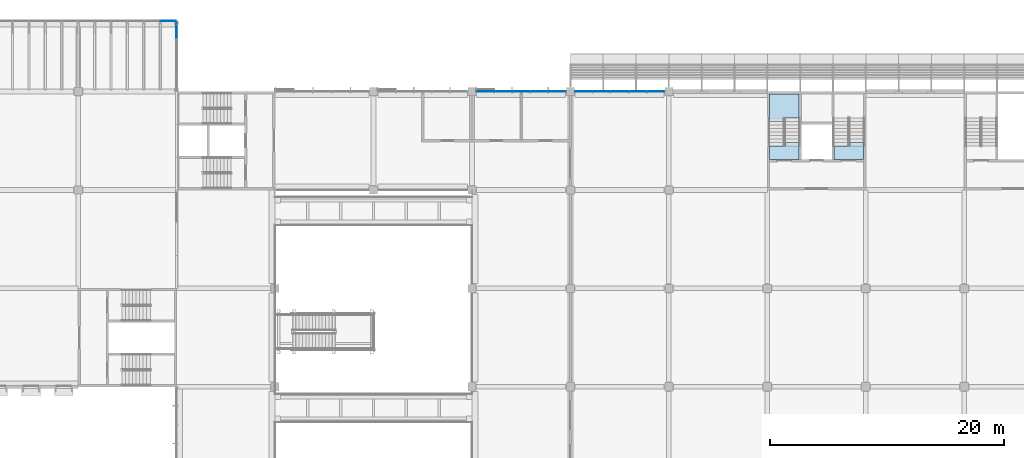
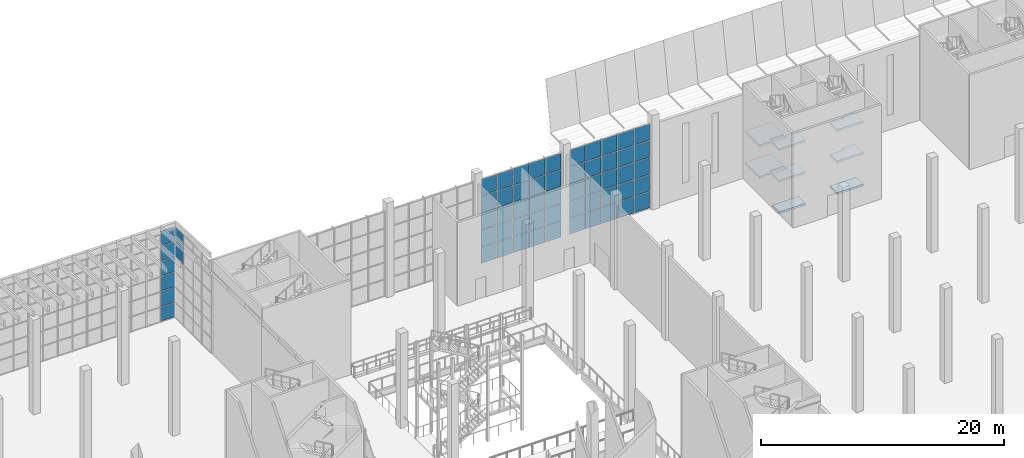
# One storey, part 38 of 114: 58 plates, 8 slabs, 6 elements without a shape of their own.
"""IFC4 building model written with IfcOpenShell, lengths in metres."""

from ifc_helpers import new_model, si_unit, direction, frame, origin, origin_2d, place, context, subcontext, project, spatial, polyline, rectangle, outline, extrude, material, layer, layer_set, type_object, element, aggregate, save


model = new_model("IFC4")

# Units and contexts
model_context = context("Model", 3, precision=1e-05, world=origin(), true_north=direction((0.0, 1.0)))
body_context = subcontext(model_context, "Body", "Model", "MODEL_VIEW")
ifc_project = project(units=[si_unit("LENGTHUNIT", "METRE"), si_unit("AREAUNIT", "SQUARE_METRE"), si_unit("VOLUMEUNIT", "CUBIC_METRE"), si_unit("PLANEANGLEUNIT", "RADIAN"), si_unit("MASSUNIT", "GRAM", prefix="KILO")], contexts=[model_context])

# Site, building, storey
site_placement = place(None, origin())
site = spatial("IfcSite", under=ifc_project, at=site_placement, CompositionType="ELEMENT")
building_placement = place(site_placement, origin())
building = spatial("IfcBuilding", under=site, at=building_placement, Name="Almond Square Museum", CompositionType="ELEMENT")
storey_placement = place(building_placement, frame((0.0, 0.0, 10.5)))
storey = spatial("IfcBuildingStorey", under=building, at=storey_placement, Name="L02", CompositionType="ELEMENT", Elevation=10.5)

# Stair, slabs
ifc_material_1 = material(Name="Concrete C40/50", Category="concrete")
stair_type = type_object("IfcStairType", Name="Exit stair 54 risers of 176 mm", PredefinedType="HALF_TURN_STAIR", material=ifc_material_1)
stair_1_placement = place(storey_placement, origin())
stair_1 = element("IfcStair", 1, at=stair_1_placement, inside=storey, type_object=stair_type, Name="L02 stair H4-1", PredefinedType="HALF_TURN_STAIR")
ifc_material_2 = material(Name="Concrete C40/50", Category="concrete")
ifc_layer_1 = layer(ifc_material_2, 0.199951171875)
ifc_layer_set_1 = layer_set([ifc_layer_1], Name="Concrete C40/50")
slab_type = type_object("IfcSlabType", Name="Concrete stair landing 200", PredefinedType="LANDING", material=ifc_layer_set_1)
slab_1_placement = place(storey_placement, frame((0.0, 0.0, 1.38330078125)))
slab_1 = element("IfcSlab", 2, at=slab_1_placement, type_object=slab_type, Name="ST-07 landing 1", PredefinedType="LANDING", context=body_context, shape_type="SweptSolid", body=[
    extrude(outline(polyline([(126.300048828125, 106.947021484375), (126.300048828125, 109.0), (123.800048828125, 109.0), (123.800048828125, 106.64990234375), (124.949951171875, 106.64990234375), (124.949951171875, 106.947021484375), (126.300048828125, 106.947021484375)])), origin(), (0.0, 0.0, 1.0), 0.199951171875),
])
slab_2_placement = place(storey_placement, frame((0.0, 0.0, 2.966552734375)))
slab_2 = element("IfcSlab", 3, at=slab_2_placement, type_object=slab_type, Name="ST-07 landing 2", PredefinedType="LANDING", context=body_context, shape_type="SweptSolid", body=[
    extrude(outline(polyline([(126.300048828125, 103.39990234375), (126.300048828125, 104.550048828125), (126.300048828125, 104.85009765625), (125.14990234375, 104.85009765625), (125.14990234375, 104.552978515625), (123.800048828125, 104.552978515625), (123.800048828125, 103.39990234375), (126.300048828125, 103.39990234375)])), origin(), (0.0, 0.0, 1.0), 0.2001953125),
])
slab_3_placement = place(storey_placement, frame((0.0, 0.0, 4.550048828125)))
slab_3 = element("IfcSlab", 4, at=slab_3_placement, type_object=slab_type, Name="ST-07 landing 3", PredefinedType="LANDING", context=body_context, shape_type="SweptSolid", body=[
    extrude(outline(polyline([(126.300048828125, 106.947021484375), (126.300048828125, 109.0), (123.800048828125, 109.0), (123.800048828125, 106.64990234375), (124.949951171875, 106.64990234375), (124.949951171875, 106.947021484375), (126.300048828125, 106.947021484375)])), origin(), (0.0, 0.0, 1.0), 0.199951171875),
])
slab_4_placement = place(storey_placement, frame((0.0, 0.0, 6.13330078125)))
slab_4 = element("IfcSlab", 5, at=slab_4_placement, type_object=slab_type, Name="ST-07 landing 4", PredefinedType="LANDING", context=body_context, shape_type="SweptSolid", body=[
    extrude(outline(polyline([(126.300048828125, 103.39990234375), (126.300048828125, 104.550048828125), (126.300048828125, 104.85009765625), (125.14990234375, 104.85009765625), (125.14990234375, 104.552978515625), (123.800048828125, 104.552978515625), (123.800048828125, 103.39990234375), (126.300048828125, 103.39990234375)])), origin(), (0.0, 0.0, 1.0), 0.199951171875),
])
aggregate(stair_1, [slab_1, slab_2, slab_3, slab_4])

stair_2_placement = place(storey_placement, origin())
stair_2 = element("IfcStair", 6, at=stair_2_placement, inside=storey, type_object=stair_type, Name="L02 stair H4-2", PredefinedType="HALF_TURN_STAIR")
slab_5_placement = place(storey_placement, frame((0.0, 0.0, 2.966552734375)))
slab_5 = element("IfcSlab", 7, at=slab_5_placement, type_object=slab_type, Name="ST-08 landing 2", PredefinedType="LANDING", context=body_context, shape_type="SweptSolid", body=[
    extrude(outline(polyline([(131.800048828125, 103.39990234375), (131.800048828125, 104.550048828125), (131.800048828125, 104.85009765625), (130.64990234375, 104.85009765625), (130.64990234375, 104.552978515625), (129.300048828125, 104.552978515625), (129.300048828125, 103.39990234375), (131.800048828125, 103.39990234375)])), origin(), (0.0, 0.0, 1.0), 0.2001953125),
])
slab_6_placement = place(storey_placement, frame((0.0, 0.0, 6.13330078125)))
slab_6 = element("IfcSlab", 8, at=slab_6_placement, type_object=slab_type, Name="ST-08 landing 4", PredefinedType="LANDING", context=body_context, shape_type="SweptSolid", body=[
    extrude(outline(polyline([(131.800048828125, 103.39990234375), (131.800048828125, 104.550048828125), (131.800048828125, 104.85009765625), (130.64990234375, 104.85009765625), (130.64990234375, 104.552978515625), (129.300048828125, 104.552978515625), (129.300048828125, 103.39990234375), (131.800048828125, 103.39990234375)])), origin(), (0.0, 0.0, 1.0), 0.199951171875),
])
aggregate(stair_2, [slab_5, slab_6])

# Slabs
slab_7_placement = place(storey_placement, frame((0.0, 0.0, -0.199951171875)))
element("IfcSlab", 9, at=slab_7_placement, inside=storey, type_object=slab_type, Name="L02 stair H4-1 floor landing", PredefinedType="LANDING", context=body_context, shape_type="SweptSolid", body=[
    extrude(outline(polyline([(123.800048828125, 103.39990234375), (126.300048828125, 103.39990234375), (126.300048828125, 104.552978515625), (123.800048828125, 104.552978515625), (123.800048828125, 103.39990234375)])), origin(), (0.0, 0.0, 1.0), 0.199951171875),
])
slab_8_placement = place(storey_placement, frame((0.0, 0.0, -0.199951171875)))
element("IfcSlab", 10, at=slab_8_placement, inside=storey, type_object=slab_type, Name="L02 stair H4-2 floor landing", PredefinedType="LANDING", context=body_context, shape_type="SweptSolid", body=[
    extrude(outline(polyline([(129.300048828125, 103.39990234375), (131.800048828125, 103.39990234375), (131.800048828125, 104.552978515625), (129.300048828125, 104.552978515625), (129.300048828125, 103.39990234375)])), origin(), (0.0, 0.0, 1.0), 0.199951171875),
])

# Curtain wall, plates
ifc_material_3 = material(Name="Aluminium and laminated glass", Category="aluminium")
curtain_wall_type = type_object("IfcCurtainWallType", Name="Unitised curtain wall 1500 module", PredefinedType="NOTDEFINED", material=ifc_material_3)
curtain_wall_1_placement = place(storey_placement, origin())
curtain_wall_1 = element("IfcCurtainWall", 11, at=curtain_wall_1_placement, inside=storey, type_object=curtain_wall_type, Name="Curtain wall CW-16", PredefinedType="NOTDEFINED")
ifc_material_4 = material(Name="Laminated hurricane-rated glass", Category="glass")
ifc_layer_2 = layer(ifc_material_4, 0.035888671875)
ifc_layer_set_2 = layer_set([ifc_layer_2], Name="Laminated hurricane-rated glass")
plate_type = type_object("IfcPlateType", Name="Laminated glass panel 36", PredefinedType="CURTAIN_PANEL", material=ifc_layer_set_2)
plate_1_placement = place(storey_placement, frame((107.93505859375, 109.199951171875, 0.06005859375), z_axis=(0.0, 0.0, 1.0), x_axis=(1.0, 0.0, 0.0)))
plate_1 = element("IfcPlate", 12, at=plate_1_placement, type_object=plate_type, Name="CW-16 panel 1.1", PredefinedType="CURTAIN_PANEL", context=body_context, shape_type="SweptSolid", body=[
    extrude(rectangle(XDim=1.449951171875, YDim=0.035888671875, at=origin_2d()), origin(), (0.0, 0.0, 1.0), 1.6201171875),
])
plate_2_placement = place(storey_placement, frame((107.93505859375, 109.199951171875, 1.739990234375), z_axis=(0.0, 0.0, 1.0), x_axis=(1.0, 0.0, 0.0)))
plate_2 = element("IfcPlate", 13, at=plate_2_placement, type_object=plate_type, Name="CW-16 panel 1.2", PredefinedType="CURTAIN_PANEL", context=body_context, shape_type="SweptSolid", body=[
    extrude(rectangle(XDim=1.449951171875, YDim=0.035888671875, at=origin_2d()), origin(), (0.0, 0.0, 1.0), 1.64990234375),
])
plate_3_placement = place(storey_placement, frame((107.93505859375, 109.199951171875, 3.449951171875), z_axis=(0.0, 0.0, 1.0), x_axis=(1.0, 0.0, 0.0)))
plate_3 = element("IfcPlate", 14, at=plate_3_placement, type_object=plate_type, Name="CW-16 panel 1.3", PredefinedType="CURTAIN_PANEL", context=body_context, shape_type="SweptSolid", body=[
    extrude(rectangle(XDim=1.449951171875, YDim=0.035888671875, at=origin_2d()), origin(), (0.0, 0.0, 1.0), 1.64990234375),
])
plate_4_placement = place(storey_placement, frame((107.93505859375, 109.199951171875, 5.16015625), z_axis=(0.0, 0.0, 1.0), x_axis=(1.0, 0.0, 0.0)))
plate_4 = element("IfcPlate", 15, at=plate_4_placement, type_object=plate_type, Name="CW-16 panel 1.4", PredefinedType="CURTAIN_PANEL", context=body_context, shape_type="SweptSolid", body=[
    extrude(rectangle(XDim=1.449951171875, YDim=0.035888671875, at=origin_2d()), origin(), (0.0, 0.0, 1.0), 1.64990234375),
])
plate_5_placement = place(storey_placement, frame((107.93505859375, 109.199951171875, 6.869873046875), z_axis=(0.0, 0.0, 1.0), x_axis=(1.0, 0.0, 0.0)))
plate_5 = element("IfcPlate", 16, at=plate_5_placement, type_object=plate_type, Name="CW-16 panel 1.5", PredefinedType="CURTAIN_PANEL", context=body_context, shape_type="SweptSolid", body=[
    extrude(rectangle(XDim=1.449951171875, YDim=0.035888671875, at=origin_2d()), origin(), (0.0, 0.0, 1.0), 1.6201171875),
])
plate_6_placement = place(storey_placement, frame((109.4599609375, 109.199951171875, 0.06005859375), z_axis=(0.0, 0.0, 1.0), x_axis=(1.0, 0.0, 0.0)))
plate_6 = element("IfcPlate", 17, at=plate_6_placement, type_object=plate_type, Name="CW-16 panel 2.1", PredefinedType="CURTAIN_PANEL", context=body_context, shape_type="SweptSolid", body=[
    extrude(rectangle(XDim=1.47998046875, YDim=0.035888671875, at=origin_2d()), origin(), (0.0, 0.0, 1.0), 1.6201171875),
])
plate_7_placement = place(storey_placement, frame((109.4599609375, 109.199951171875, 1.739990234375), z_axis=(0.0, 0.0, 1.0), x_axis=(1.0, 0.0, 0.0)))
plate_7 = element("IfcPlate", 18, at=plate_7_placement, type_object=plate_type, Name="CW-16 panel 2.2", PredefinedType="CURTAIN_PANEL", context=body_context, shape_type="SweptSolid", body=[
    extrude(rectangle(XDim=1.47998046875, YDim=0.035888671875, at=origin_2d()), origin(), (0.0, 0.0, 1.0), 1.64990234375),
])
plate_8_placement = place(storey_placement, frame((109.4599609375, 109.199951171875, 3.449951171875), z_axis=(0.0, 0.0, 1.0), x_axis=(1.0, 0.0, 0.0)))
plate_8 = element("IfcPlate", 19, at=plate_8_placement, type_object=plate_type, Name="CW-16 panel 2.3", PredefinedType="CURTAIN_PANEL", context=body_context, shape_type="SweptSolid", body=[
    extrude(rectangle(XDim=1.47998046875, YDim=0.035888671875, at=origin_2d()), origin(), (0.0, 0.0, 1.0), 1.64990234375),
])
plate_9_placement = place(storey_placement, frame((109.4599609375, 109.199951171875, 5.16015625), z_axis=(0.0, 0.0, 1.0), x_axis=(1.0, 0.0, 0.0)))
plate_9 = element("IfcPlate", 20, at=plate_9_placement, type_object=plate_type, Name="CW-16 panel 2.4", PredefinedType="CURTAIN_PANEL", context=body_context, shape_type="SweptSolid", body=[
    extrude(rectangle(XDim=1.47998046875, YDim=0.035888671875, at=origin_2d()), origin(), (0.0, 0.0, 1.0), 1.64990234375),
])
plate_10_placement = place(storey_placement, frame((109.4599609375, 109.199951171875, 6.869873046875), z_axis=(0.0, 0.0, 1.0), x_axis=(1.0, 0.0, 0.0)))
plate_10 = element("IfcPlate", 21, at=plate_10_placement, type_object=plate_type, Name="CW-16 panel 2.5", PredefinedType="CURTAIN_PANEL", context=body_context, shape_type="SweptSolid", body=[
    extrude(rectangle(XDim=1.47998046875, YDim=0.035888671875, at=origin_2d()), origin(), (0.0, 0.0, 1.0), 1.6201171875),
])
plate_11_placement = place(storey_placement, frame((111.0, 109.199951171875, 0.06005859375), z_axis=(0.0, 0.0, 1.0), x_axis=(1.0, 0.0, 0.0)))
plate_11 = element("IfcPlate", 22, at=plate_11_placement, type_object=plate_type, Name="CW-16 panel 3.1", PredefinedType="CURTAIN_PANEL", context=body_context, shape_type="SweptSolid", body=[
    extrude(rectangle(XDim=1.47998046875, YDim=0.035888671875, at=origin_2d()), origin(), (0.0, 0.0, 1.0), 1.6201171875),
])
plate_12_placement = place(storey_placement, frame((111.0, 109.199951171875, 1.739990234375), z_axis=(0.0, 0.0, 1.0), x_axis=(1.0, 0.0, 0.0)))
plate_12 = element("IfcPlate", 23, at=plate_12_placement, type_object=plate_type, Name="CW-16 panel 3.2", PredefinedType="CURTAIN_PANEL", context=body_context, shape_type="SweptSolid", body=[
    extrude(rectangle(XDim=1.47998046875, YDim=0.035888671875, at=origin_2d()), origin(), (0.0, 0.0, 1.0), 1.64990234375),
])
plate_13_placement = place(storey_placement, frame((111.0, 109.199951171875, 3.449951171875), z_axis=(0.0, 0.0, 1.0), x_axis=(1.0, 0.0, 0.0)))
plate_13 = element("IfcPlate", 24, at=plate_13_placement, type_object=plate_type, Name="CW-16 panel 3.3", PredefinedType="CURTAIN_PANEL", context=body_context, shape_type="SweptSolid", body=[
    extrude(rectangle(XDim=1.47998046875, YDim=0.035888671875, at=origin_2d()), origin(), (0.0, 0.0, 1.0), 1.64990234375),
])
plate_14_placement = place(storey_placement, frame((111.0, 109.199951171875, 5.16015625), z_axis=(0.0, 0.0, 1.0), x_axis=(1.0, 0.0, 0.0)))
plate_14 = element("IfcPlate", 25, at=plate_14_placement, type_object=plate_type, Name="CW-16 panel 3.4", PredefinedType="CURTAIN_PANEL", context=body_context, shape_type="SweptSolid", body=[
    extrude(rectangle(XDim=1.47998046875, YDim=0.035888671875, at=origin_2d()), origin(), (0.0, 0.0, 1.0), 1.64990234375),
])
plate_15_placement = place(storey_placement, frame((111.0, 109.199951171875, 6.869873046875), z_axis=(0.0, 0.0, 1.0), x_axis=(1.0, 0.0, 0.0)))
plate_15 = element("IfcPlate", 26, at=plate_15_placement, type_object=plate_type, Name="CW-16 panel 3.5", PredefinedType="CURTAIN_PANEL", context=body_context, shape_type="SweptSolid", body=[
    extrude(rectangle(XDim=1.47998046875, YDim=0.035888671875, at=origin_2d()), origin(), (0.0, 0.0, 1.0), 1.6201171875),
])
plate_16_placement = place(storey_placement, frame((112.5400390625, 109.199951171875, 0.06005859375), z_axis=(0.0, 0.0, 1.0), x_axis=(1.0, 0.0, 0.0)))
plate_16 = element("IfcPlate", 27, at=plate_16_placement, type_object=plate_type, Name="CW-16 panel 4.1", PredefinedType="CURTAIN_PANEL", context=body_context, shape_type="SweptSolid", body=[
    extrude(rectangle(XDim=1.47998046875, YDim=0.035888671875, at=origin_2d()), origin(), (0.0, 0.0, 1.0), 1.6201171875),
])
plate_17_placement = place(storey_placement, frame((112.5400390625, 109.199951171875, 1.739990234375), z_axis=(0.0, 0.0, 1.0), x_axis=(1.0, 0.0, 0.0)))
plate_17 = element("IfcPlate", 28, at=plate_17_placement, type_object=plate_type, Name="CW-16 panel 4.2", PredefinedType="CURTAIN_PANEL", context=body_context, shape_type="SweptSolid", body=[
    extrude(rectangle(XDim=1.47998046875, YDim=0.035888671875, at=origin_2d()), origin(), (0.0, 0.0, 1.0), 1.64990234375),
])
plate_18_placement = place(storey_placement, frame((112.5400390625, 109.199951171875, 3.449951171875), z_axis=(0.0, 0.0, 1.0), x_axis=(1.0, 0.0, 0.0)))
plate_18 = element("IfcPlate", 29, at=plate_18_placement, type_object=plate_type, Name="CW-16 panel 4.3", PredefinedType="CURTAIN_PANEL", context=body_context, shape_type="SweptSolid", body=[
    extrude(rectangle(XDim=1.47998046875, YDim=0.035888671875, at=origin_2d()), origin(), (0.0, 0.0, 1.0), 1.64990234375),
])
plate_19_placement = place(storey_placement, frame((112.5400390625, 109.199951171875, 5.16015625), z_axis=(0.0, 0.0, 1.0), x_axis=(1.0, 0.0, 0.0)))
plate_19 = element("IfcPlate", 30, at=plate_19_placement, type_object=plate_type, Name="CW-16 panel 4.4", PredefinedType="CURTAIN_PANEL", context=body_context, shape_type="SweptSolid", body=[
    extrude(rectangle(XDim=1.47998046875, YDim=0.035888671875, at=origin_2d()), origin(), (0.0, 0.0, 1.0), 1.64990234375),
])
plate_20_placement = place(storey_placement, frame((112.5400390625, 109.199951171875, 6.869873046875), z_axis=(0.0, 0.0, 1.0), x_axis=(1.0, 0.0, 0.0)))
plate_20 = element("IfcPlate", 31, at=plate_20_placement, type_object=plate_type, Name="CW-16 panel 4.5", PredefinedType="CURTAIN_PANEL", context=body_context, shape_type="SweptSolid", body=[
    extrude(rectangle(XDim=1.47998046875, YDim=0.035888671875, at=origin_2d()), origin(), (0.0, 0.0, 1.0), 1.6201171875),
])
plate_21_placement = place(storey_placement, frame((114.06494140625, 109.199951171875, 0.06005859375), z_axis=(0.0, 0.0, 1.0), x_axis=(1.0, 0.0, 0.0)))
plate_21 = element("IfcPlate", 32, at=plate_21_placement, type_object=plate_type, Name="CW-16 panel 5.1", PredefinedType="CURTAIN_PANEL", context=body_context, shape_type="SweptSolid", body=[
    extrude(rectangle(XDim=1.449951171875, YDim=0.035888671875, at=origin_2d()), origin(), (0.0, 0.0, 1.0), 1.6201171875),
])
plate_22_placement = place(storey_placement, frame((114.06494140625, 109.199951171875, 1.739990234375), z_axis=(0.0, 0.0, 1.0), x_axis=(1.0, 0.0, 0.0)))
plate_22 = element("IfcPlate", 33, at=plate_22_placement, type_object=plate_type, Name="CW-16 panel 5.2", PredefinedType="CURTAIN_PANEL", context=body_context, shape_type="SweptSolid", body=[
    extrude(rectangle(XDim=1.449951171875, YDim=0.035888671875, at=origin_2d()), origin(), (0.0, 0.0, 1.0), 1.64990234375),
])
plate_23_placement = place(storey_placement, frame((114.06494140625, 109.199951171875, 3.449951171875), z_axis=(0.0, 0.0, 1.0), x_axis=(1.0, 0.0, 0.0)))
plate_23 = element("IfcPlate", 34, at=plate_23_placement, type_object=plate_type, Name="CW-16 panel 5.3", PredefinedType="CURTAIN_PANEL", context=body_context, shape_type="SweptSolid", body=[
    extrude(rectangle(XDim=1.449951171875, YDim=0.035888671875, at=origin_2d()), origin(), (0.0, 0.0, 1.0), 1.64990234375),
])
plate_24_placement = place(storey_placement, frame((114.06494140625, 109.199951171875, 5.16015625), z_axis=(0.0, 0.0, 1.0), x_axis=(1.0, 0.0, 0.0)))
plate_24 = element("IfcPlate", 35, at=plate_24_placement, type_object=plate_type, Name="CW-16 panel 5.4", PredefinedType="CURTAIN_PANEL", context=body_context, shape_type="SweptSolid", body=[
    extrude(rectangle(XDim=1.449951171875, YDim=0.035888671875, at=origin_2d()), origin(), (0.0, 0.0, 1.0), 1.64990234375),
])
plate_25_placement = place(storey_placement, frame((114.06494140625, 109.199951171875, 6.869873046875), z_axis=(0.0, 0.0, 1.0), x_axis=(1.0, 0.0, 0.0)))
plate_25 = element("IfcPlate", 36, at=plate_25_placement, type_object=plate_type, Name="CW-16 panel 5.5", PredefinedType="CURTAIN_PANEL", context=body_context, shape_type="SweptSolid", body=[
    extrude(rectangle(XDim=1.449951171875, YDim=0.035888671875, at=origin_2d()), origin(), (0.0, 0.0, 1.0), 1.6201171875),
])
aggregate(curtain_wall_1, [plate_1, plate_2, plate_3, plate_4, plate_5, plate_6, plate_7, plate_8, plate_9, plate_10, plate_11, plate_12, plate_13, plate_14, plate_15, plate_16, plate_17, plate_18, plate_19, plate_20, plate_21, plate_22, plate_23, plate_24, plate_25])

curtain_wall_2_placement = place(storey_placement, origin())
curtain_wall_2 = element("IfcCurtainWall", 37, at=curtain_wall_2_placement, inside=storey, type_object=curtain_wall_type, Name="Curtain wall CW-17", PredefinedType="NOTDEFINED")
plate_26_placement = place(storey_placement, frame((99.534912109375, 109.199951171875, 0.06005859375), z_axis=(0.0, 0.0, 1.0), x_axis=(1.0, 0.0, 0.0)))
plate_26 = element("IfcPlate", 38, at=plate_26_placement, type_object=plate_type, Name="CW-17 panel 1.1", PredefinedType="CURTAIN_PANEL", context=body_context, shape_type="SweptSolid", body=[
    extrude(rectangle(XDim=1.449951171875, YDim=0.035888671875, at=origin_2d()), origin(), (0.0, 0.0, 1.0), 1.6201171875),
])
plate_27_placement = place(storey_placement, frame((99.534912109375, 109.199951171875, 1.739990234375), z_axis=(0.0, 0.0, 1.0), x_axis=(1.0, 0.0, 0.0)))
plate_27 = element("IfcPlate", 39, at=plate_27_placement, type_object=plate_type, Name="CW-17 panel 1.2", PredefinedType="CURTAIN_PANEL", context=body_context, shape_type="SweptSolid", body=[
    extrude(rectangle(XDim=1.449951171875, YDim=0.035888671875, at=origin_2d()), origin(), (0.0, 0.0, 1.0), 1.64990234375),
])
plate_28_placement = place(storey_placement, frame((99.534912109375, 109.199951171875, 3.449951171875), z_axis=(0.0, 0.0, 1.0), x_axis=(1.0, 0.0, 0.0)))
plate_28 = element("IfcPlate", 40, at=plate_28_placement, type_object=plate_type, Name="CW-17 panel 1.3", PredefinedType="CURTAIN_PANEL", context=body_context, shape_type="SweptSolid", body=[
    extrude(rectangle(XDim=1.449951171875, YDim=0.035888671875, at=origin_2d()), origin(), (0.0, 0.0, 1.0), 1.64990234375),
])
plate_29_placement = place(storey_placement, frame((99.534912109375, 109.199951171875, 5.16015625), z_axis=(0.0, 0.0, 1.0), x_axis=(1.0, 0.0, 0.0)))
plate_29 = element("IfcPlate", 41, at=plate_29_placement, type_object=plate_type, Name="CW-17 panel 1.4", PredefinedType="CURTAIN_PANEL", context=body_context, shape_type="SweptSolid", body=[
    extrude(rectangle(XDim=1.449951171875, YDim=0.035888671875, at=origin_2d()), origin(), (0.0, 0.0, 1.0), 1.64990234375),
])
plate_30_placement = place(storey_placement, frame((99.534912109375, 109.199951171875, 6.869873046875), z_axis=(0.0, 0.0, 1.0), x_axis=(1.0, 0.0, 0.0)))
plate_30 = element("IfcPlate", 42, at=plate_30_placement, type_object=plate_type, Name="CW-17 panel 1.5", PredefinedType="CURTAIN_PANEL", context=body_context, shape_type="SweptSolid", body=[
    extrude(rectangle(XDim=1.449951171875, YDim=0.035888671875, at=origin_2d()), origin(), (0.0, 0.0, 1.0), 1.6201171875),
])
plate_31_placement = place(storey_placement, frame((101.06005859375, 109.199951171875, 0.06005859375), z_axis=(0.0, 0.0, 1.0), x_axis=(1.0, 0.0, 0.0)))
plate_31 = element("IfcPlate", 43, at=plate_31_placement, type_object=plate_type, Name="CW-17 panel 2.1", PredefinedType="CURTAIN_PANEL", context=body_context, shape_type="SweptSolid", body=[
    extrude(rectangle(XDim=1.47998046875, YDim=0.035888671875, at=origin_2d()), origin(), (0.0, 0.0, 1.0), 1.6201171875),
])
plate_32_placement = place(storey_placement, frame((101.06005859375, 109.199951171875, 1.739990234375), z_axis=(0.0, 0.0, 1.0), x_axis=(1.0, 0.0, 0.0)))
plate_32 = element("IfcPlate", 44, at=plate_32_placement, type_object=plate_type, Name="CW-17 panel 2.2", PredefinedType="CURTAIN_PANEL", context=body_context, shape_type="SweptSolid", body=[
    extrude(rectangle(XDim=1.47998046875, YDim=0.035888671875, at=origin_2d()), origin(), (0.0, 0.0, 1.0), 1.64990234375),
])
plate_33_placement = place(storey_placement, frame((101.06005859375, 109.199951171875, 3.449951171875), z_axis=(0.0, 0.0, 1.0), x_axis=(1.0, 0.0, 0.0)))
plate_33 = element("IfcPlate", 45, at=plate_33_placement, type_object=plate_type, Name="CW-17 panel 2.3", PredefinedType="CURTAIN_PANEL", context=body_context, shape_type="SweptSolid", body=[
    extrude(rectangle(XDim=1.47998046875, YDim=0.035888671875, at=origin_2d()), origin(), (0.0, 0.0, 1.0), 1.64990234375),
])
plate_34_placement = place(storey_placement, frame((101.06005859375, 109.199951171875, 5.16015625), z_axis=(0.0, 0.0, 1.0), x_axis=(1.0, 0.0, 0.0)))
plate_34 = element("IfcPlate", 46, at=plate_34_placement, type_object=plate_type, Name="CW-17 panel 2.4", PredefinedType="CURTAIN_PANEL", context=body_context, shape_type="SweptSolid", body=[
    extrude(rectangle(XDim=1.47998046875, YDim=0.035888671875, at=origin_2d()), origin(), (0.0, 0.0, 1.0), 1.64990234375),
])
plate_35_placement = place(storey_placement, frame((101.06005859375, 109.199951171875, 6.869873046875), z_axis=(0.0, 0.0, 1.0), x_axis=(1.0, 0.0, 0.0)))
plate_35 = element("IfcPlate", 47, at=plate_35_placement, type_object=plate_type, Name="CW-17 panel 2.5", PredefinedType="CURTAIN_PANEL", context=body_context, shape_type="SweptSolid", body=[
    extrude(rectangle(XDim=1.47998046875, YDim=0.035888671875, at=origin_2d()), origin(), (0.0, 0.0, 1.0), 1.6201171875),
])
plate_36_placement = place(storey_placement, frame((102.60009765625, 109.199951171875, 0.06005859375), z_axis=(0.0, 0.0, 1.0), x_axis=(1.0, 0.0, 0.0)))
plate_36 = element("IfcPlate", 48, at=plate_36_placement, type_object=plate_type, Name="CW-17 panel 3.1", PredefinedType="CURTAIN_PANEL", context=body_context, shape_type="SweptSolid", body=[
    extrude(rectangle(XDim=1.47998046875, YDim=0.035888671875, at=origin_2d()), origin(), (0.0, 0.0, 1.0), 1.6201171875),
])
plate_37_placement = place(storey_placement, frame((102.60009765625, 109.199951171875, 1.739990234375), z_axis=(0.0, 0.0, 1.0), x_axis=(1.0, 0.0, 0.0)))
plate_37 = element("IfcPlate", 49, at=plate_37_placement, type_object=plate_type, Name="CW-17 panel 3.2", PredefinedType="CURTAIN_PANEL", context=body_context, shape_type="SweptSolid", body=[
    extrude(rectangle(XDim=1.47998046875, YDim=0.035888671875, at=origin_2d()), origin(), (0.0, 0.0, 1.0), 1.64990234375),
])
plate_38_placement = place(storey_placement, frame((102.60009765625, 109.199951171875, 3.449951171875), z_axis=(0.0, 0.0, 1.0), x_axis=(1.0, 0.0, 0.0)))
plate_38 = element("IfcPlate", 50, at=plate_38_placement, type_object=plate_type, Name="CW-17 panel 3.3", PredefinedType="CURTAIN_PANEL", context=body_context, shape_type="SweptSolid", body=[
    extrude(rectangle(XDim=1.47998046875, YDim=0.035888671875, at=origin_2d()), origin(), (0.0, 0.0, 1.0), 1.64990234375),
])
plate_39_placement = place(storey_placement, frame((102.60009765625, 109.199951171875, 5.16015625), z_axis=(0.0, 0.0, 1.0), x_axis=(1.0, 0.0, 0.0)))
plate_39 = element("IfcPlate", 51, at=plate_39_placement, type_object=plate_type, Name="CW-17 panel 3.4", PredefinedType="CURTAIN_PANEL", context=body_context, shape_type="SweptSolid", body=[
    extrude(rectangle(XDim=1.47998046875, YDim=0.035888671875, at=origin_2d()), origin(), (0.0, 0.0, 1.0), 1.64990234375),
])
plate_40_placement = place(storey_placement, frame((102.60009765625, 109.199951171875, 6.869873046875), z_axis=(0.0, 0.0, 1.0), x_axis=(1.0, 0.0, 0.0)))
plate_40 = element("IfcPlate", 52, at=plate_40_placement, type_object=plate_type, Name="CW-17 panel 3.5", PredefinedType="CURTAIN_PANEL", context=body_context, shape_type="SweptSolid", body=[
    extrude(rectangle(XDim=1.47998046875, YDim=0.035888671875, at=origin_2d()), origin(), (0.0, 0.0, 1.0), 1.6201171875),
])
plate_41_placement = place(storey_placement, frame((104.139892578125, 109.199951171875, 0.06005859375), z_axis=(0.0, 0.0, 1.0), x_axis=(1.0, 0.0, 0.0)))
plate_41 = element("IfcPlate", 53, at=plate_41_placement, type_object=plate_type, Name="CW-17 panel 4.1", PredefinedType="CURTAIN_PANEL", context=body_context, shape_type="SweptSolid", body=[
    extrude(rectangle(XDim=1.47998046875, YDim=0.035888671875, at=origin_2d()), origin(), (0.0, 0.0, 1.0), 1.6201171875),
])
plate_42_placement = place(storey_placement, frame((104.139892578125, 109.199951171875, 1.739990234375), z_axis=(0.0, 0.0, 1.0), x_axis=(1.0, 0.0, 0.0)))
plate_42 = element("IfcPlate", 54, at=plate_42_placement, type_object=plate_type, Name="CW-17 panel 4.2", PredefinedType="CURTAIN_PANEL", context=body_context, shape_type="SweptSolid", body=[
    extrude(rectangle(XDim=1.47998046875, YDim=0.035888671875, at=origin_2d()), origin(), (0.0, 0.0, 1.0), 1.64990234375),
])
plate_43_placement = place(storey_placement, frame((104.139892578125, 109.199951171875, 3.449951171875), z_axis=(0.0, 0.0, 1.0), x_axis=(1.0, 0.0, 0.0)))
plate_43 = element("IfcPlate", 55, at=plate_43_placement, type_object=plate_type, Name="CW-17 panel 4.3", PredefinedType="CURTAIN_PANEL", context=body_context, shape_type="SweptSolid", body=[
    extrude(rectangle(XDim=1.47998046875, YDim=0.035888671875, at=origin_2d()), origin(), (0.0, 0.0, 1.0), 1.64990234375),
])
plate_44_placement = place(storey_placement, frame((104.139892578125, 109.199951171875, 5.16015625), z_axis=(0.0, 0.0, 1.0), x_axis=(1.0, 0.0, 0.0)))
plate_44 = element("IfcPlate", 56, at=plate_44_placement, type_object=plate_type, Name="CW-17 panel 4.4", PredefinedType="CURTAIN_PANEL", context=body_context, shape_type="SweptSolid", body=[
    extrude(rectangle(XDim=1.47998046875, YDim=0.035888671875, at=origin_2d()), origin(), (0.0, 0.0, 1.0), 1.64990234375),
])
plate_45_placement = place(storey_placement, frame((104.139892578125, 109.199951171875, 6.869873046875), z_axis=(0.0, 0.0, 1.0), x_axis=(1.0, 0.0, 0.0)))
plate_45 = element("IfcPlate", 57, at=plate_45_placement, type_object=plate_type, Name="CW-17 panel 4.5", PredefinedType="CURTAIN_PANEL", context=body_context, shape_type="SweptSolid", body=[
    extrude(rectangle(XDim=1.47998046875, YDim=0.035888671875, at=origin_2d()), origin(), (0.0, 0.0, 1.0), 1.6201171875),
])
plate_46_placement = place(storey_placement, frame((105.6650390625, 109.199951171875, 0.06005859375), z_axis=(0.0, 0.0, 1.0), x_axis=(1.0, 0.0, 0.0)))
plate_46 = element("IfcPlate", 58, at=plate_46_placement, type_object=plate_type, Name="CW-17 panel 5.1", PredefinedType="CURTAIN_PANEL", context=body_context, shape_type="SweptSolid", body=[
    extrude(rectangle(XDim=1.449951171875, YDim=0.035888671875, at=origin_2d()), origin(), (0.0, 0.0, 1.0), 1.6201171875),
])
plate_47_placement = place(storey_placement, frame((105.6650390625, 109.199951171875, 1.739990234375), z_axis=(0.0, 0.0, 1.0), x_axis=(1.0, 0.0, 0.0)))
plate_47 = element("IfcPlate", 59, at=plate_47_placement, type_object=plate_type, Name="CW-17 panel 5.2", PredefinedType="CURTAIN_PANEL", context=body_context, shape_type="SweptSolid", body=[
    extrude(rectangle(XDim=1.449951171875, YDim=0.035888671875, at=origin_2d()), origin(), (0.0, 0.0, 1.0), 1.64990234375),
])
plate_48_placement = place(storey_placement, frame((105.6650390625, 109.199951171875, 3.449951171875), z_axis=(0.0, 0.0, 1.0), x_axis=(1.0, 0.0, 0.0)))
plate_48 = element("IfcPlate", 60, at=plate_48_placement, type_object=plate_type, Name="CW-17 panel 5.3", PredefinedType="CURTAIN_PANEL", context=body_context, shape_type="SweptSolid", body=[
    extrude(rectangle(XDim=1.449951171875, YDim=0.035888671875, at=origin_2d()), origin(), (0.0, 0.0, 1.0), 1.64990234375),
])
plate_49_placement = place(storey_placement, frame((105.6650390625, 109.199951171875, 5.16015625), z_axis=(0.0, 0.0, 1.0), x_axis=(1.0, 0.0, 0.0)))
plate_49 = element("IfcPlate", 61, at=plate_49_placement, type_object=plate_type, Name="CW-17 panel 5.4", PredefinedType="CURTAIN_PANEL", context=body_context, shape_type="SweptSolid", body=[
    extrude(rectangle(XDim=1.449951171875, YDim=0.035888671875, at=origin_2d()), origin(), (0.0, 0.0, 1.0), 1.64990234375),
])
plate_50_placement = place(storey_placement, frame((105.6650390625, 109.199951171875, 6.869873046875), z_axis=(0.0, 0.0, 1.0), x_axis=(1.0, 0.0, 0.0)))
plate_50 = element("IfcPlate", 62, at=plate_50_placement, type_object=plate_type, Name="CW-17 panel 5.5", PredefinedType="CURTAIN_PANEL", context=body_context, shape_type="SweptSolid", body=[
    extrude(rectangle(XDim=1.449951171875, YDim=0.035888671875, at=origin_2d()), origin(), (0.0, 0.0, 1.0), 1.6201171875),
])
aggregate(curtain_wall_2, [plate_26, plate_27, plate_28, plate_29, plate_30, plate_31, plate_32, plate_33, plate_34, plate_35, plate_36, plate_37, plate_38, plate_39, plate_40, plate_41, plate_42, plate_43, plate_44, plate_45, plate_46, plate_47, plate_48, plate_49, plate_50])

curtain_wall_3_placement = place(storey_placement, origin())
curtain_wall_3 = element("IfcCurtainWall", 63, at=curtain_wall_3_placement, inside=storey, type_object=curtain_wall_type, Name="Curtain wall CW-20", PredefinedType="NOTDEFINED")
plate_51_placement = place(storey_placement, frame((73.199951171875, 114.43505859375, 6.140869140625), z_axis=(0.0, 0.0, 1.0), x_axis=(0.0, 1.0, 0.0)))
plate_51 = element("IfcPlate", 64, at=plate_51_placement, type_object=plate_type, Name="CW-20 panel 4.5", PredefinedType="CURTAIN_PANEL", context=body_context, shape_type="SweptSolid", body=[
    extrude(rectangle(XDim=1.409912109375, YDim=0.035888671875, at=origin_2d()), origin(), (0.0, 0.0, 1.0), 1.4677734375),
])
plate_52_placement = place(storey_placement, frame((73.199951171875, 114.43505859375, 7.66845703125), z_axis=(0.0, 0.0, 1.0), x_axis=(0.0, 1.0, 0.0)))
plate_52 = element("IfcPlate", 65, at=plate_52_placement, type_object=plate_type, Name="CW-20 panel 4.6", PredefinedType="CURTAIN_PANEL", context=body_context, shape_type="SweptSolid", body=[
    extrude(rectangle(XDim=1.409912109375, YDim=0.035888671875, at=origin_2d()), origin(), (0.0, 0.0, 1.0), 1.437744140625),
])
aggregate(curtain_wall_3, [plate_51, plate_52])

curtain_wall_4_placement = place(storey_placement, origin())
curtain_wall_4 = element("IfcCurtainWall", 66, at=curtain_wall_4_placement, inside=storey, type_object=curtain_wall_type, Name="Curtain wall CW-21", PredefinedType="NOTDEFINED")
plate_53_placement = place(storey_placement, frame((72.485107421875, 115.199951171875, 0.06005859375), z_axis=(0.0, 0.0, 1.0), x_axis=(1.0, 0.0, 0.0)))
plate_53 = element("IfcPlate", 67, at=plate_53_placement, type_object=plate_type, Name="CW-21 panel 6.1", PredefinedType="CURTAIN_PANEL", context=body_context, shape_type="SweptSolid", body=[
    extrude(rectangle(XDim=1.31005859375, YDim=0.035888671875, at=origin_2d()), origin(), (0.0, 0.0, 1.0), 1.437744140625),
])
plate_54_placement = place(storey_placement, frame((72.485107421875, 115.199951171875, 1.5576171875), z_axis=(0.0, 0.0, 1.0), x_axis=(1.0, 0.0, 0.0)))
plate_54 = element("IfcPlate", 68, at=plate_54_placement, type_object=plate_type, Name="CW-21 panel 6.2", PredefinedType="CURTAIN_PANEL", context=body_context, shape_type="SweptSolid", body=[
    extrude(rectangle(XDim=1.31005859375, YDim=0.035888671875, at=origin_2d()), origin(), (0.0, 0.0, 1.0), 1.4677734375),
])
plate_55_placement = place(storey_placement, frame((72.485107421875, 115.199951171875, 3.08544921875), z_axis=(0.0, 0.0, 1.0), x_axis=(1.0, 0.0, 0.0)))
plate_55 = element("IfcPlate", 69, at=plate_55_placement, type_object=plate_type, Name="CW-21 panel 6.3", PredefinedType="CURTAIN_PANEL", context=body_context, shape_type="SweptSolid", body=[
    extrude(rectangle(XDim=1.31005859375, YDim=0.035888671875, at=origin_2d()), origin(), (0.0, 0.0, 1.0), 1.4677734375),
])
plate_56_placement = place(storey_placement, frame((72.485107421875, 115.199951171875, 4.613037109375), z_axis=(0.0, 0.0, 1.0), x_axis=(1.0, 0.0, 0.0)))
plate_56 = element("IfcPlate", 70, at=plate_56_placement, type_object=plate_type, Name="CW-21 panel 6.4", PredefinedType="CURTAIN_PANEL", context=body_context, shape_type="SweptSolid", body=[
    extrude(rectangle(XDim=1.31005859375, YDim=0.035888671875, at=origin_2d()), origin(), (0.0, 0.0, 1.0), 1.4677734375),
])
plate_57_placement = place(storey_placement, frame((72.485107421875, 115.199951171875, 6.140869140625), z_axis=(0.0, 0.0, 1.0), x_axis=(1.0, 0.0, 0.0)))
plate_57 = element("IfcPlate", 71, at=plate_57_placement, type_object=plate_type, Name="CW-21 panel 6.5", PredefinedType="CURTAIN_PANEL", context=body_context, shape_type="SweptSolid", body=[
    extrude(rectangle(XDim=1.31005859375, YDim=0.035888671875, at=origin_2d()), origin(), (0.0, 0.0, 1.0), 1.4677734375),
])
plate_58_placement = place(storey_placement, frame((72.485107421875, 115.199951171875, 7.66845703125), z_axis=(0.0, 0.0, 1.0), x_axis=(1.0, 0.0, 0.0)))
plate_58 = element("IfcPlate", 72, at=plate_58_placement, type_object=plate_type, Name="CW-21 panel 6.6", PredefinedType="CURTAIN_PANEL", context=body_context, shape_type="SweptSolid", body=[
    extrude(rectangle(XDim=1.31005859375, YDim=0.035888671875, at=origin_2d()), origin(), (0.0, 0.0, 1.0), 1.437744140625),
])
aggregate(curtain_wall_4, [plate_53, plate_54, plate_55, plate_56, plate_57, plate_58])

save(model, "model.ifc")
